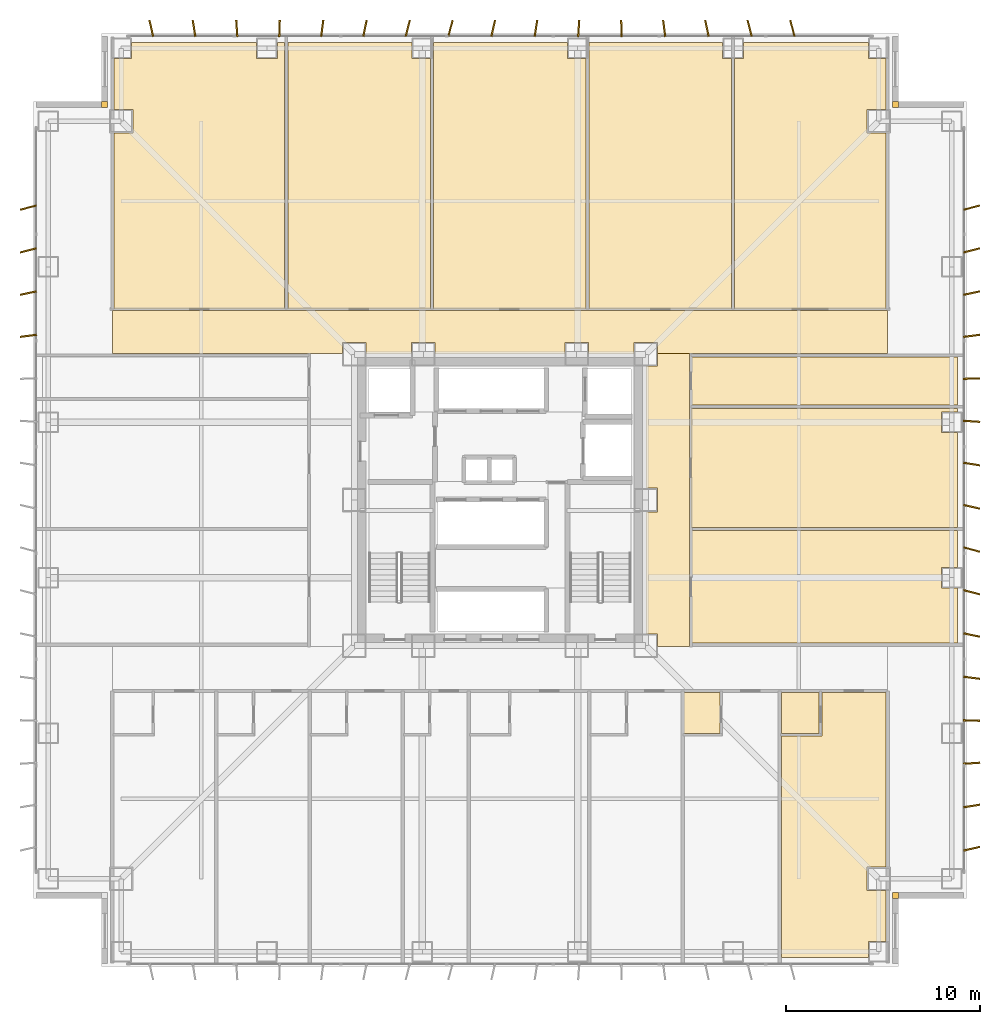
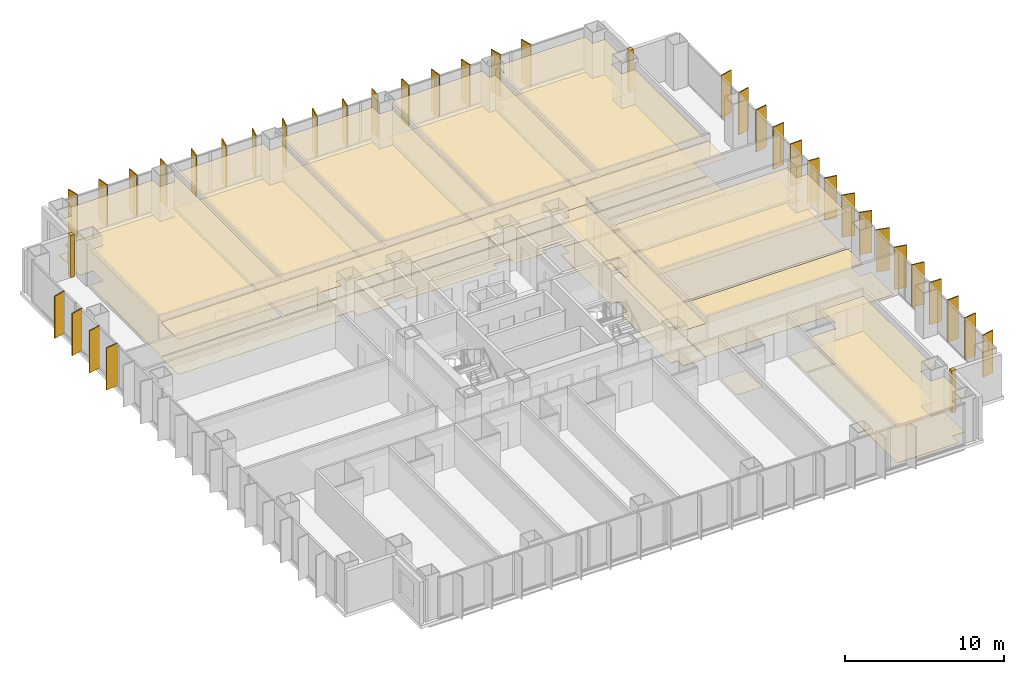
# One storey, part 19 of 19: 36 shading devices, 25 coverings.
"""IFC4 building model written with IfcOpenShell, lengths in metres."""

from ifc_helpers import new_model, si_unit, direction, frame, origin, origin_2d, place, context, subcontext, project, spatial, polyline, rectangle, outline, extrude, material, layer, layer_set, type_object, element, save


model = new_model("IFC4")

# Units and contexts
model_context = context("Model", 3, precision=1e-05, world=origin(), true_north=direction((0.0, 1.0)))
body_context = subcontext(model_context, "Body", "Model", "MODEL_VIEW")
ifc_project = project(units=[si_unit("LENGTHUNIT", "METRE"), si_unit("AREAUNIT", "SQUARE_METRE"), si_unit("VOLUMEUNIT", "CUBIC_METRE"), si_unit("PLANEANGLEUNIT", "RADIAN"), si_unit("MASSUNIT", "GRAM", prefix="KILO")], contexts=[model_context])

# Site, building, storey
site_placement = place(None, origin())
site = spatial("IfcSite", under=ifc_project, at=site_placement, CompositionType="ELEMENT")
building_placement = place(site_placement, origin())
building = spatial("IfcBuilding", under=site, at=building_placement, Name="Trevonay Congress Spire", CompositionType="ELEMENT")
storey_placement = place(building_placement, frame((0.0, 0.0, 58.5)))
storey = spatial("IfcBuildingStorey", under=building, at=storey_placement, Name="L14", CompositionType="ELEMENT", Elevation=58.5)

# Coverings
ifc_material_1 = material(Name="Acoustic Mineral Fibre Board", Category="gypsum")
ifc_layer_1 = layer(ifc_material_1, 0.02490234375, Name="Acoustic Mineral Fibre Board")
ifc_layer_set_1 = layer_set([ifc_layer_1], Name="Acoustic Mineral Fibre Board")
covering_type_1 = type_object("IfcCoveringType", Name="COV-CEIL-ACOUSTIC", PredefinedType="CEILING", material=ifc_layer_set_1)
covering_1_placement = place(storey_placement, frame((0.0, 0.0, 2.699951171875)))
element("IfcCovering", 1, at=covering_1_placement, inside=storey, type_object=covering_type_1, Name="L14 Hotel Floor Corridor North acoustic suspended ceiling", PredefinedType="CEILING", context=body_context, shape_type="SweptSolid", body=[
    extrude(outline(polyline([(-19.949951171875, 7.550048828125), (-19.949951171875, 9.75), (19.949951171875, 9.75), (19.949951171875, 7.550048828125), (8.110107421875, 7.550048828125), (8.110107421875, 8.110107421875), (6.889892578125, 8.110107421875), (6.889892578125, 7.550048828125), (4.56005859375, 7.550048828125), (4.56005859375, 8.110107421875), (3.340087890625, 8.110107421875), (3.340087890625, 7.550048828125), (-3.340087890625, 7.550048828125), (-3.340087890625, 8.110107421875), (-4.56005859375, 8.110107421875), (-4.56005859375, 7.550048828125), (-6.889892578125, 7.550048828125), (-6.889892578125, 8.110107421875), (-8.110107421875, 8.110107421875), (-8.110107421875, 7.550048828125), (-19.949951171875, 7.550048828125)])), origin(), (0.0, 0.0, 1.0), 0.025146484375),
])
covering_2_placement = place(storey_placement, frame((0.0, 0.0, 2.699951171875)))
element("IfcCovering", 2, at=covering_2_placement, inside=storey, type_object=covering_type_1, Name="L14 Hotel Floor Corridor East acoustic suspended ceiling", PredefinedType="CEILING", context=body_context, shape_type="SweptSolid", body=[
    extrude(outline(polyline([(9.75, -7.550048828125), (8.110107421875, -7.550048828125), (8.110107421875, -6.889892578125), (7.550048828125, -6.889892578125), (7.550048828125, -0.610107421875), (8.110107421875, -0.610107421875), (8.110107421875, 0.610107421875), (7.550048828125, 0.610107421875), (7.550048828125, 6.889892578125), (8.110107421875, 6.889892578125), (8.110107421875, 7.550048828125), (9.75, 7.550048828125), (9.75, -7.550048828125)])), origin(), (0.0, 0.0, 1.0), 0.025146484375),
])
covering_3_placement = place(storey_placement, frame((0.0, 0.0, 2.699951171875)))
element("IfcCovering", 3, at=covering_3_placement, inside=storey, type_object=covering_type_1, Name="L14 Hotel Guest Room acoustic suspended ceiling", PredefinedType="CEILING", context=body_context, shape_type="SweptSolid", body=[
    extrude(outline(polyline([(14.47998046875, -23.550048828125), (14.47998046875, -12.139892578125), (16.570068359375, -12.139892578125), (16.570068359375, -9.909912109375), (19.8701171875, -9.909912109375), (19.8701171875, -18.889892578125), (18.889892578125, -18.889892578125), (18.889892578125, -20.110107421875), (19.8701171875, -20.110107421875), (19.8701171875, -22.715087890625), (18.965087890625, -22.715087890625), (18.965087890625, -23.550048828125), (14.47998046875, -23.550048828125)])), origin(), (0.0, 0.0, 1.0), 0.025146484375),
])
covering_4_placement = place(storey_placement, frame((0.0, 0.0, 2.699951171875)))
element("IfcCovering", 4, at=covering_4_placement, inside=storey, type_object=covering_type_1, Name="L14 Executive Club Co-Working Office 1 acoustic suspended ceiling", PredefinedType="CEILING", context=body_context, shape_type="SweptSolid", body=[
    extrude(outline(polyline([(-11.080078125, 23.550048828125), (-11.080078125, 9.830078125), (-19.8701171875, 9.830078125), (-19.8701171875, 18.889892578125), (-18.889892578125, 18.889892578125), (-18.889892578125, 20.110107421875), (-19.8701171875, 20.110107421875), (-19.8701171875, 22.715087890625), (-18.965087890625, 22.715087890625), (-18.965087890625, 23.550048828125), (-12.534912109375, 23.550048828125), (-12.534912109375, 22.715087890625), (-11.465087890625, 22.715087890625), (-11.465087890625, 23.550048828125), (-11.080078125, 23.550048828125)])), origin(), (0.0, 0.0, 1.0), 0.025146484375),
])
covering_5_placement = place(storey_placement, frame((0.0, 0.0, 2.699951171875)))
element("IfcCovering", 5, at=covering_5_placement, inside=storey, type_object=covering_type_1, Name="L14 Visiting Delegation Office 2 acoustic suspended ceiling", PredefinedType="CEILING", context=body_context, shape_type="SweptSolid", body=[
    extrude(outline(polyline([(-3.580078125, 9.830078125), (-10.919921875, 9.830078125), (-10.919921875, 23.550048828125), (-4.534912109375, 23.550048828125), (-4.534912109375, 22.715087890625), (-3.580078125, 22.715087890625), (-3.580078125, 9.830078125)])), origin(), (0.0, 0.0, 1.0), 0.025146484375),
])
covering_6_placement = place(storey_placement, frame((0.0, 0.0, 2.699951171875)))
element("IfcCovering", 6, at=covering_6_placement, inside=storey, type_object=covering_type_1, Name="L14 Diplomatic Secretariat Office 3 acoustic suspended ceiling", PredefinedType="CEILING", context=body_context, shape_type="SweptSolid", body=[
    extrude(outline(polyline([(4.419921875, 9.830078125), (-3.419921875, 9.830078125), (-3.419921875, 23.550048828125), (3.465087890625, 23.550048828125), (3.465087890625, 22.715087890625), (4.419921875, 22.715087890625), (4.419921875, 9.830078125)])), origin(), (0.0, 0.0, 1.0), 0.025146484375),
])
covering_7_placement = place(storey_placement, frame((0.0, 0.0, 2.699951171875)))
element("IfcCovering", 7, at=covering_7_placement, inside=storey, type_object=covering_type_1, Name="L14 Executive Boardroom North acoustic suspended ceiling", PredefinedType="CEILING", context=body_context, shape_type="SweptSolid", body=[
    extrude(outline(polyline([(11.919921875, 9.830078125), (4.580078125, 9.830078125), (4.580078125, 23.550048828125), (11.465087890625, 23.550048828125), (11.465087890625, 22.715087890625), (11.919921875, 22.715087890625), (11.919921875, 9.830078125)])), origin(), (0.0, 0.0, 1.0), 0.025146484375),
])
covering_8_placement = place(storey_placement, frame((0.0, 0.0, 2.699951171875)))
element("IfcCovering", 8, at=covering_8_placement, inside=storey, type_object=covering_type_1, Name="L14 Club Reading Library Lounge acoustic suspended ceiling", PredefinedType="CEILING", context=body_context, shape_type="SweptSolid", body=[
    extrude(outline(polyline([(19.8701171875, 9.830078125), (12.080078125, 9.830078125), (12.080078125, 22.715087890625), (12.534912109375, 22.715087890625), (12.534912109375, 23.550048828125), (18.965087890625, 23.550048828125), (18.965087890625, 22.715087890625), (19.8701171875, 22.715087890625), (19.8701171875, 20.110107421875), (18.889892578125, 20.110107421875), (18.889892578125, 18.889892578125), (19.8701171875, 18.889892578125), (19.8701171875, 9.830078125)])), origin(), (0.0, 0.0, 1.0), 0.025146484375),
])
covering_9_placement = place(storey_placement, frame((0.0, 0.0, 2.699951171875)))
element("IfcCovering", 9, at=covering_9_placement, inside=storey, type_object=covering_type_1, Name="L14 Club Pantry Kitchen acoustic suspended ceiling", PredefinedType="CEILING", context=body_context, shape_type="SweptSolid", body=[
    extrude(outline(polyline([(23.550048828125, -1.419921875), (9.830078125, -1.419921875), (9.830078125, 4.719970703125), (23.550048828125, 4.719970703125), (23.550048828125, 4.534912109375), (22.715087890625, 4.534912109375), (22.715087890625, 3.465087890625), (23.550048828125, 3.465087890625), (23.550048828125, -1.419921875)])), origin(), (0.0, 0.0, 1.0), 0.025146484375),
])
ifc_material_2 = material(Name="Polished Granite Floor Tile", Category="masonry")
ifc_layer_2 = layer(ifc_material_2, 0.02001953125, Name="Polished Granite Floor Tile")
ifc_layer_set_2 = layer_set([ifc_layer_2], Name="Polished Granite Floor Tile")
covering_type_2 = type_object("IfcCoveringType", Name="COV-FLOOR-STONE", PredefinedType="FLOORING", material=ifc_layer_set_2)
covering_10_placement = place(storey_placement, origin())
element("IfcCovering", 10, at=covering_10_placement, inside=storey, type_object=covering_type_2, Name="L14 Hotel Floor Corridor North floor finish", PredefinedType="FLOORING", context=body_context, shape_type="SweptSolid", body=[
    extrude(outline(polyline([(-19.949951171875, 7.550048828125), (-19.949951171875, 9.75), (19.949951171875, 9.75), (19.949951171875, 7.550048828125), (8.110107421875, 7.550048828125), (8.110107421875, 8.110107421875), (6.889892578125, 8.110107421875), (6.889892578125, 7.550048828125), (4.56005859375, 7.550048828125), (4.56005859375, 8.110107421875), (3.340087890625, 8.110107421875), (3.340087890625, 7.550048828125), (-3.340087890625, 7.550048828125), (-3.340087890625, 8.110107421875), (-4.56005859375, 8.110107421875), (-4.56005859375, 7.550048828125), (-6.889892578125, 7.550048828125), (-6.889892578125, 8.110107421875), (-8.110107421875, 8.110107421875), (-8.110107421875, 7.550048828125), (-19.949951171875, 7.550048828125)])), origin(), (0.0, 0.0, 1.0), 0.02001953125),
])
covering_11_placement = place(storey_placement, origin())
element("IfcCovering", 11, at=covering_11_placement, inside=storey, type_object=covering_type_2, Name="L14 Hotel Floor Corridor East floor finish", PredefinedType="FLOORING", context=body_context, shape_type="SweptSolid", body=[
    extrude(outline(polyline([(9.75, -7.550048828125), (8.110107421875, -7.550048828125), (8.110107421875, -6.889892578125), (7.550048828125, -6.889892578125), (7.550048828125, -0.610107421875), (8.110107421875, -0.610107421875), (8.110107421875, 0.610107421875), (7.550048828125, 0.610107421875), (7.550048828125, 6.889892578125), (8.110107421875, 6.889892578125), (8.110107421875, 7.550048828125), (9.75, 7.550048828125), (9.75, -7.550048828125)])), origin(), (0.0, 0.0, 1.0), 0.02001953125),
])
covering_12_placement = place(storey_placement, origin())
element("IfcCovering", 12, at=covering_12_placement, inside=storey, type_object=covering_type_2, Name="L14 En-suite Bathroom floor finish", PredefinedType="FLOORING", context=body_context, shape_type="SweptSolid", body=[
    extrude(outline(polyline([(9.47998046875, -12.02001953125), (11.319091796875, -12.02001953125), (11.319091796875, -9.909912109375), (9.47998046875, -9.909912109375), (9.47998046875, -12.02001953125)])), origin(), (0.0, 0.0, 1.0), 0.02001953125),
])
covering_13_placement = place(storey_placement, origin())
element("IfcCovering", 13, at=covering_13_placement, inside=storey, type_object=covering_type_2, Name="L14 En-suite Bathroom floor finish", PredefinedType="FLOORING", context=body_context, shape_type="SweptSolid", body=[
    extrude(outline(polyline([(14.47998046875, -12.02001953125), (16.429931640625, -12.02001953125), (16.429931640625, -9.909912109375), (14.47998046875, -9.909912109375), (14.47998046875, -12.02001953125)])), origin(), (0.0, 0.0, 1.0), 0.02001953125),
])
covering_14_placement = place(storey_placement, origin())
element("IfcCovering", 14, at=covering_14_placement, inside=storey, type_object=covering_type_2, Name="L14 Housekeeping and Linen Room floor finish", PredefinedType="FLOORING", context=body_context, shape_type="SweptSolid", body=[
    extrude(outline(polyline([(23.550048828125, -7.3701171875), (9.830078125, -7.3701171875), (9.830078125, -1.580078125), (23.550048828125, -1.580078125), (23.550048828125, -3.465087890625), (22.715087890625, -3.465087890625), (22.715087890625, -4.534912109375), (23.550048828125, -4.534912109375), (23.550048828125, -7.3701171875)])), origin(), (0.0, 0.0, 1.0), 0.02001953125),
])
covering_15_placement = place(storey_placement, origin())
element("IfcCovering", 15, at=covering_15_placement, inside=storey, type_object=covering_type_2, Name="L14 Club Pantry Kitchen floor finish", PredefinedType="FLOORING", context=body_context, shape_type="SweptSolid", body=[
    extrude(outline(polyline([(23.550048828125, -1.419921875), (9.830078125, -1.419921875), (9.830078125, 4.719970703125), (23.550048828125, 4.719970703125), (23.550048828125, 4.534912109375), (22.715087890625, 4.534912109375), (22.715087890625, 3.465087890625), (23.550048828125, 3.465087890625), (23.550048828125, -1.419921875)])), origin(), (0.0, 0.0, 1.0), 0.02001953125),
])
covering_16_placement = place(storey_placement, origin())
element("IfcCovering", 16, at=covering_16_placement, inside=storey, type_object=covering_type_2, Name="L14 Female Restroom WC floor finish", PredefinedType="FLOORING", context=body_context, shape_type="SweptSolid", body=[
    extrude(outline(polyline([(9.830078125, 4.8798828125), (23.550048828125, 4.8798828125), (23.550048828125, 7.3701171875), (9.830078125, 7.3701171875), (9.830078125, 4.8798828125)])), origin(), (0.0, 0.0, 1.0), 0.02001953125),
])
ifc_material_3 = material(Name="Engineered Oak Flooring", Category="wood")
ifc_layer_3 = layer(ifc_material_3, 0.01806640625, Name="Engineered Oak Flooring")
ifc_layer_set_3 = layer_set([ifc_layer_3], Name="Engineered Oak Flooring")
covering_type_3 = type_object("IfcCoveringType", Name="COV-FLOOR-TIMBER", PredefinedType="FLOORING", material=ifc_layer_set_3)
covering_17_placement = place(storey_placement, origin())
element("IfcCovering", 17, at=covering_17_placement, inside=storey, type_object=covering_type_3, Name="L14 Hotel Guest Room floor finish", PredefinedType="FLOORING", context=body_context, shape_type="SweptSolid", body=[
    extrude(outline(polyline([(14.47998046875, -23.550048828125), (14.47998046875, -12.139892578125), (16.570068359375, -12.139892578125), (16.570068359375, -9.909912109375), (19.8701171875, -9.909912109375), (19.8701171875, -18.889892578125), (18.889892578125, -18.889892578125), (18.889892578125, -20.110107421875), (19.8701171875, -20.110107421875), (19.8701171875, -22.715087890625), (18.965087890625, -22.715087890625), (18.965087890625, -23.550048828125), (14.47998046875, -23.550048828125)])), origin(), (0.0, 0.0, 1.0), 0.01806640625),
])
covering_18_placement = place(storey_placement, origin())
element("IfcCovering", 18, at=covering_18_placement, inside=storey, type_object=covering_type_3, Name="L14 Executive Club Co-Working Office 1 floor finish", PredefinedType="FLOORING", context=body_context, shape_type="SweptSolid", body=[
    extrude(outline(polyline([(-11.080078125, 23.550048828125), (-11.080078125, 9.830078125), (-19.8701171875, 9.830078125), (-19.8701171875, 18.889892578125), (-18.889892578125, 18.889892578125), (-18.889892578125, 20.110107421875), (-19.8701171875, 20.110107421875), (-19.8701171875, 22.715087890625), (-18.965087890625, 22.715087890625), (-18.965087890625, 23.550048828125), (-12.534912109375, 23.550048828125), (-12.534912109375, 22.715087890625), (-11.465087890625, 22.715087890625), (-11.465087890625, 23.550048828125), (-11.080078125, 23.550048828125)])), origin(), (0.0, 0.0, 1.0), 0.01806640625),
])
covering_19_placement = place(storey_placement, origin())
element("IfcCovering", 19, at=covering_19_placement, inside=storey, type_object=covering_type_3, Name="L14 Visiting Delegation Office 2 floor finish", PredefinedType="FLOORING", context=body_context, shape_type="SweptSolid", body=[
    extrude(outline(polyline([(-3.580078125, 9.830078125), (-10.919921875, 9.830078125), (-10.919921875, 23.550048828125), (-4.534912109375, 23.550048828125), (-4.534912109375, 22.715087890625), (-3.580078125, 22.715087890625), (-3.580078125, 9.830078125)])), origin(), (0.0, 0.0, 1.0), 0.01806640625),
])
covering_20_placement = place(storey_placement, origin())
element("IfcCovering", 20, at=covering_20_placement, inside=storey, type_object=covering_type_3, Name="L14 Diplomatic Secretariat Office 3 floor finish", PredefinedType="FLOORING", context=body_context, shape_type="SweptSolid", body=[
    extrude(outline(polyline([(4.419921875, 9.830078125), (-3.419921875, 9.830078125), (-3.419921875, 23.550048828125), (3.465087890625, 23.550048828125), (3.465087890625, 22.715087890625), (4.419921875, 22.715087890625), (4.419921875, 9.830078125)])), origin(), (0.0, 0.0, 1.0), 0.01806640625),
])
covering_21_placement = place(storey_placement, origin())
element("IfcCovering", 21, at=covering_21_placement, inside=storey, type_object=covering_type_3, Name="L14 Executive Boardroom North floor finish", PredefinedType="FLOORING", context=body_context, shape_type="SweptSolid", body=[
    extrude(outline(polyline([(11.919921875, 9.830078125), (4.580078125, 9.830078125), (4.580078125, 23.550048828125), (11.465087890625, 23.550048828125), (11.465087890625, 22.715087890625), (11.919921875, 22.715087890625), (11.919921875, 9.830078125)])), origin(), (0.0, 0.0, 1.0), 0.01806640625),
])
covering_22_placement = place(storey_placement, origin())
element("IfcCovering", 22, at=covering_22_placement, inside=storey, type_object=covering_type_3, Name="L14 Club Reading Library Lounge floor finish", PredefinedType="FLOORING", context=body_context, shape_type="SweptSolid", body=[
    extrude(outline(polyline([(19.8701171875, 9.830078125), (12.080078125, 9.830078125), (12.080078125, 22.715087890625), (12.534912109375, 22.715087890625), (12.534912109375, 23.550048828125), (18.965087890625, 23.550048828125), (18.965087890625, 22.715087890625), (19.8701171875, 22.715087890625), (19.8701171875, 20.110107421875), (18.889892578125, 20.110107421875), (18.889892578125, 18.889892578125), (19.8701171875, 18.889892578125), (19.8701171875, 9.830078125)])), origin(), (0.0, 0.0, 1.0), 0.01806640625),
])
ifc_material_4 = material(Name="Pale Anodised Aluminium EN AW-6063-T6", Category="aluminium")
ifc_layer_4 = layer(ifc_material_4, 0.0400390625, Name="Pale Anodised Aluminium EN AW-6063-T6")
ifc_layer_set_4 = layer_set([ifc_layer_4], Name="Pale Anodised Aluminium EN AW-6063-T6")
covering_type_4 = type_object("IfcCoveringType", Name="COV-SPANDREL-PALE-METAL", PredefinedType="CLADDING", material=ifc_layer_set_4)
covering_23_placement = place(storey_placement, origin())
element("IfcCovering", 23, at=covering_23_placement, inside=storey, type_object=covering_type_4, Name="L14 SE re-entrant notch corner closure trim", PredefinedType="CLADDING", context=body_context, shape_type="SweptSolid", body=[
    extrude(outline(polyline([(20.199951171875, -20.5), (20.5, -20.5), (20.5, -20.199951171875), (20.199951171875, -20.199951171875), (20.199951171875, -20.5)])), origin(), (0.0, 0.0, 1.0), 3.25),
])
covering_24_placement = place(storey_placement, origin())
element("IfcCovering", 24, at=covering_24_placement, inside=storey, type_object=covering_type_4, Name="L14 NE re-entrant notch corner closure trim", PredefinedType="CLADDING", context=body_context, shape_type="SweptSolid", body=[
    extrude(outline(polyline([(20.199951171875, 20.199951171875), (20.5, 20.199951171875), (20.5, 20.5), (20.199951171875, 20.5), (20.199951171875, 20.199951171875)])), origin(), (0.0, 0.0, 1.0), 3.25),
])
covering_25_placement = place(storey_placement, origin())
element("IfcCovering", 25, at=covering_25_placement, inside=storey, type_object=covering_type_4, Name="L14 NW re-entrant notch corner closure trim", PredefinedType="CLADDING", context=body_context, shape_type="SweptSolid", body=[
    extrude(outline(polyline([(-20.5, 20.199951171875), (-20.199951171875, 20.199951171875), (-20.199951171875, 20.5), (-20.5, 20.5), (-20.5, 20.199951171875)])), origin(), (0.0, 0.0, 1.0), 3.25),
])

# Shading devices
shading_device_type = type_object("IfcShadingDeviceType", Name="SHD-FIN-Z1-PALE-METAL", PredefinedType="USERDEFINED", material=ifc_material_4)
for number, where, z_axis, x_axis, name in (
    (26, (-17.949951171875, 24.280029296875, 0.0), (0.0, 0.0, 1.0), (0.97440931131, 0.224780991261, 0.0), "L14 N vertical pale-metal solar fin 1"),
    (27, (-15.75, 24.280029296875, 0.0), (0.0, 0.0, 1.0), (0.987330860032, 0.158675054211, 0.0), "L14 N vertical pale-metal solar fin 2"),
    (28, (-13.550048828125, 24.280029296875, 0.0), (0.0, 0.0, 1.0), (0.997707959868, 0.067667029017, 0.0), "L14 N vertical pale-metal solar fin 3"),
    (29, (-11.35009765625, 24.280029296875, 0.0), (0.0, 0.0, 1.0), (0.999414947917, -0.034201781837, 0.0), "L14 N vertical pale-metal solar fin 4"),
    (30, (-9.14990234375, 24.280029296875, 0.0), (0.0, 0.0, 1.0), (0.991444861374, -0.13052619222, 0.0), "L14 N vertical pale-metal solar fin 5"),
    (31, (-6.949951171875, 24.280029296875, 0.0), (0.0, 0.0, 1.0), (0.978508985102, -0.206204185397, 0.0), "L14 N vertical pale-metal solar fin 6"),
    (32, (-4.75, 24.280029296875, 0.0), (0.0, 0.0, 1.0), (0.968191325187, -0.250211026602, 0.0), "L14 N vertical pale-metal solar fin 7"),
    (33, (-2.550048828125, 24.280029296875, 0.0), (0.0, 0.0, 1.0), (0.966510581262, -0.256626764599, 0.0), "L14 N vertical pale-metal solar fin 8"),
    (34, (-0.35009765625, 24.280029296875, 0.0), (0.0, 0.0, 1.0), (0.97440931131, -0.224780991261, 0.0), "L14 N vertical pale-metal solar fin 9"),
    (35, (1.85009765625, 24.280029296875, 0.0), (0.0, 0.0, 1.0), (0.987330860032, -0.158675054211, 0.0), "L14 N vertical pale-metal solar fin 10"),
    (36, (4.050048828125, 24.280029296875, 0.0), (0.0, 0.0, 1.0), (0.997707959868, -0.067667029017, 0.0), "L14 N vertical pale-metal solar fin 11"),
    (37, (6.25, 24.280029296875, 0.0), (0.0, 0.0, 1.0), (0.999414947917, 0.034201781837, 0.0), "L14 N vertical pale-metal solar fin 12"),
    (38, (8.449951171875, 24.280029296875, 0.0), (0.0, 0.0, 1.0), (0.991444861374, 0.13052619222, 0.0), "L14 N vertical pale-metal solar fin 13"),
    (39, (10.64990234375, 24.280029296875, 0.0), (0.0, 0.0, 1.0), (0.978508985102, 0.206204185397, 0.0), "L14 N vertical pale-metal solar fin 14"),
    (40, (12.85009765625, 24.280029296875, 0.0), (0.0, 0.0, 1.0), (0.968191325187, 0.250211026602, 0.0), "L14 N vertical pale-metal solar fin 15"),
    (41, (15.050048828125, 24.280029296875, 0.0), (0.0, 0.0, 1.0), (0.966510581262, 0.256626764599, 0.0), "L14 N vertical pale-metal solar fin 16"),
    (42, (-24.280029296875, 8.449951171875, 0.0), (0.0, 0.0, 1.0), (-0.13052619222, 0.991444861374, 0.0), "L14 W vertical pale-metal solar fin 13"),
    (43, (-24.280029296875, 10.64990234375, 0.0), (0.0, 0.0, 1.0), (-0.206204185397, 0.978508985102, 0.0), "L14 W vertical pale-metal solar fin 14"),
    (44, (-24.280029296875, 12.85009765625, 0.0), (0.0, 0.0, 1.0), (-0.250211026602, 0.968191325187, 0.0), "L14 W vertical pale-metal solar fin 15"),
    (45, (-24.280029296875, 15.050048828125, 0.0), (0.0, 0.0, 1.0), (-0.256626764599, 0.966510581262, 0.0), "L14 W vertical pale-metal solar fin 16"),
    (46, (24.280029296875, -17.949951171875, 0.0), (0.0, 0.0, 1.0), (-0.224780991261, 0.97440931131, 0.0), "L14 E vertical pale-metal solar fin 1"),
    (47, (24.280029296875, -15.75, 0.0), (0.0, 0.0, 1.0), (-0.158675054211, 0.987330860032, 0.0), "L14 E vertical pale-metal solar fin 2"),
    (48, (24.280029296875, -13.550048828125, 0.0), (0.0, 0.0, 1.0), (-0.067667029017, 0.997707959868, 0.0), "L14 E vertical pale-metal solar fin 3"),
    (49, (24.280029296875, -11.35009765625, 0.0), (0.0, 0.0, 1.0), (0.034201781837, 0.999414947917, 0.0), "L14 E vertical pale-metal solar fin 4"),
    (50, (24.280029296875, -9.14990234375, 0.0), (0.0, 0.0, 1.0), (0.13052619222, 0.991444861374, 0.0), "L14 E vertical pale-metal solar fin 5"),
    (51, (24.280029296875, -6.949951171875, 0.0), (0.0, 0.0, 1.0), (0.206204185397, 0.978508985102, 0.0), "L14 E vertical pale-metal solar fin 6"),
    (52, (24.280029296875, -4.75, 0.0), (0.0, 0.0, 1.0), (0.250211026602, 0.968191325187, 0.0), "L14 E vertical pale-metal solar fin 7"),
    (53, (24.280029296875, -2.550048828125, 0.0), (0.0, 0.0, 1.0), (0.256626764599, 0.966510581262, 0.0), "L14 E vertical pale-metal solar fin 8"),
    (54, (24.280029296875, -0.35009765625, 0.0), (0.0, 0.0, 1.0), (0.224780991261, 0.97440931131, 0.0), "L14 E vertical pale-metal solar fin 9"),
    (55, (24.280029296875, 1.85009765625, 0.0), (0.0, 0.0, 1.0), (0.158675054211, 0.987330860032, 0.0), "L14 E vertical pale-metal solar fin 10"),
    (56, (24.280029296875, 4.050048828125, 0.0), (0.0, 0.0, 1.0), (0.067667029017, 0.997707959868, 0.0), "L14 E vertical pale-metal solar fin 11"),
    (57, (24.280029296875, 6.25, 0.0), (0.0, 0.0, 1.0), (-0.034201781837, 0.999414947917, 0.0), "L14 E vertical pale-metal solar fin 12"),
    (58, (24.280029296875, 8.449951171875, 0.0), (0.0, 0.0, 1.0), (-0.13052619222, 0.991444861374, 0.0), "L14 E vertical pale-metal solar fin 13"),
    (59, (24.280029296875, 10.64990234375, 0.0), (0.0, 0.0, 1.0), (-0.206204185397, 0.978508985102, 0.0), "L14 E vertical pale-metal solar fin 14"),
    (60, (24.280029296875, 12.85009765625, 0.0), (0.0, 0.0, 1.0), (-0.250211026602, 0.968191325187, 0.0), "L14 E vertical pale-metal solar fin 15"),
    (61, (24.280029296875, 15.050048828125, 0.0), (0.0, 0.0, 1.0), (-0.256626764599, 0.966510581262, 0.0), "L14 E vertical pale-metal solar fin 16"),
):
    element("IfcShadingDevice", number, at=place(storey_placement, frame(where, z_axis=z_axis, x_axis=x_axis)), inside=storey, type_object=shading_device_type, Name=name, ObjectType="SOLAR FIN", PredefinedType="USERDEFINED", context=body_context, shape_type="SweptSolid", body=[
        extrude(rectangle(XDim=0.080078125, YDim=0.85009765625, at=origin_2d()), origin(), (0.0, 0.0, 1.0), 3.25),
    ])

save(model, "model.ifc")
